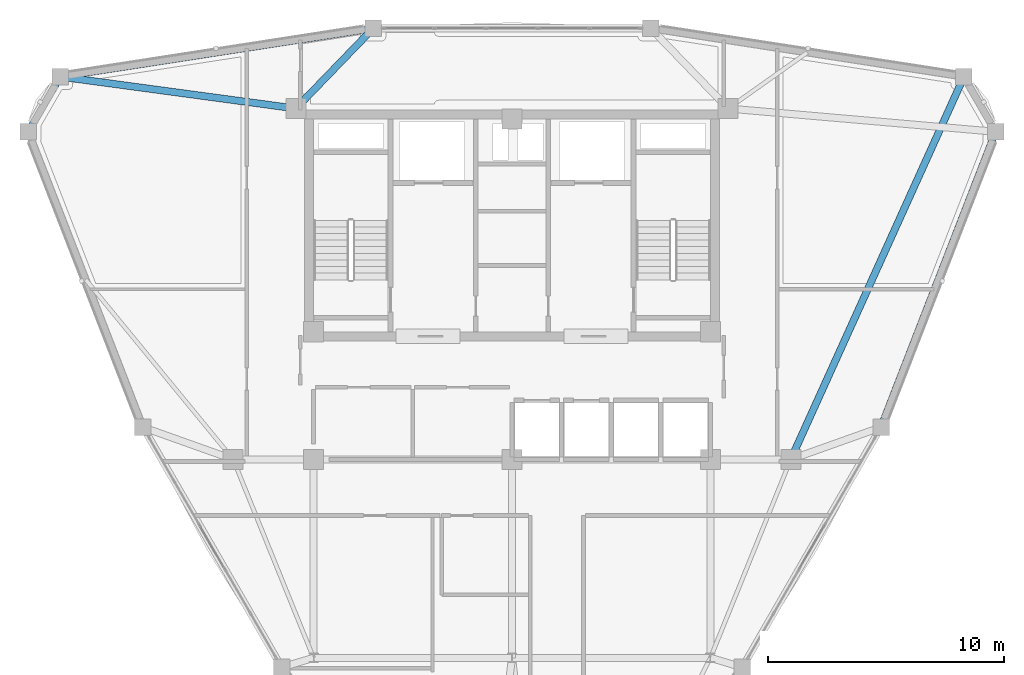
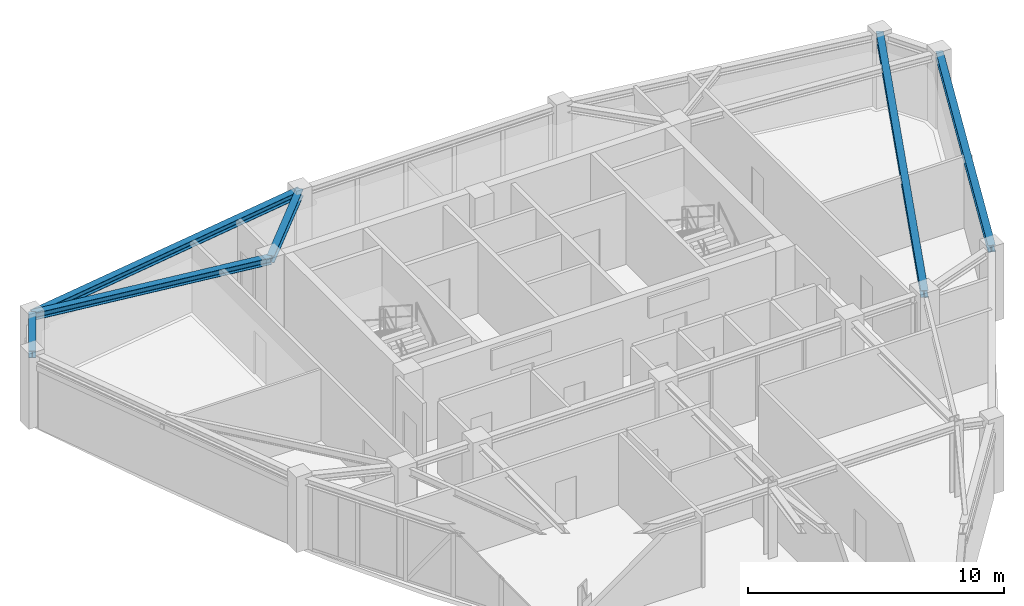
# One storey, part 8 of 15: 6 beams.
"""IFC4 building model written with IfcOpenShell, lengths in metres."""

from ifc_helpers import new_model, si_unit, derived_unit, direction, frame, origin, origin_2d, place, context, subcontext, project, spatial, i_section, extrude, source, transform, mapped, material, material_profile, profile_set, type_object, element, save


model = new_model("IFC4")

# Units and contexts
model_context = context("Model", 3, precision=1e-05, world=origin(), true_north=direction((0.0, 1.0)))
body_context = subcontext(model_context, "Body", "Model", "MODEL_VIEW")
ifc_project = project(units=[si_unit("LENGTHUNIT", "METRE"), si_unit("AREAUNIT", "SQUARE_METRE"), si_unit("VOLUMEUNIT", "CUBIC_METRE"), si_unit("PLANEANGLEUNIT", "RADIAN"), si_unit("MASSUNIT", "GRAM", prefix="KILO"), derived_unit("THERMALTRANSMITTANCEUNIT", [(si_unit("POWERUNIT", "WATT"), 1), (si_unit("LENGTHUNIT", "METRE"), -2), (si_unit("THERMODYNAMICTEMPERATUREUNIT", "KELVIN"), -1)])], contexts=[model_context])

# Site, building, storey
site_placement = place(None, origin())
site = spatial("IfcSite", under=ifc_project, at=site_placement, CompositionType="ELEMENT")
building_placement = place(site_placement, origin())
building = spatial("IfcBuilding", under=site, at=building_placement, Name="Korsvarv Bourse and Concert Hall", CompositionType="ELEMENT")
storey_placement = place(building_placement, frame((0.0, 0.0, 264.60009765625)))
storey = spatial("IfcBuildingStorey", under=building, at=storey_placement, Name="L69", CompositionType="ELEMENT", Elevation=264.60009765625)

# Beams
ifc_material = material(Name="Steel S355", Category="steel")
ifc_material_profile = material_profile(ifc_material, i_section(OverallWidth=0.300048828125, OverallDepth=0.330078125, WebThickness=0.009521484375, FlangeThickness=0.0166015625, FilletRadius=0.02099609375, at=origin_2d()), Name="HEA 340")
ifc_profile_set = profile_set([ifc_material_profile], Name="Steel S355")
beam_type = type_object("IfcBeamType", Name="BM-HEA340", PredefinedType="BEAM", material=ifc_profile_set)
shared_shape_1 = source(origin(), body_context, "Body", "SweptSolid", [
    extrude(i_section(OverallWidth=0.300048828125, OverallDepth=0.330078125, WebThickness=0.009521484375, FlangeThickness=0.0166015625, FilletRadius=0.02099609375, at=origin_2d()), origin(), (0.0, 0.0, 1.0), 2.6923828125),
])
beam_1_placement = place(storey_placement, frame((16.8720703125, 48.597900390625, 3.244873046875), z_axis=(-0.500020738559, -0.86601343004, 0.0), x_axis=(0.86601343004, -0.500020738559, 0.0)))
element("IfcBeam", 1, at=beam_1_placement, inside=storey, type_object=beam_type, Name="L69 beam B-12", PredefinedType="BEAM", context=body_context, shape_type="MappedRepresentation", body=[
    mapped(shared_shape_1, transform((0.0, 0.0, 0.0), scale=1.0)),
])
shared_shape_2 = source(origin(), body_context, "Body", "SweptSolid", [
    extrude(i_section(OverallWidth=0.300048828125, OverallDepth=0.330078125, WebThickness=0.009521484375, FlangeThickness=0.0166015625, FilletRadius=0.02099609375, at=origin_2d()), origin(), (0.0, 0.0, 1.0), 13.416015625),
])
beam_2_placement = place(storey_placement, frame((30.130615234375, 50.646728515625, 3.244873046875), z_axis=(-0.988270074885, -0.152716269881, 0.0), x_axis=(0.152716269881, -0.988270074885, 0.0)))
element("IfcBeam", 2, at=beam_2_placement, inside=storey, type_object=beam_type, Name="L69 beam B-12", PredefinedType="BEAM", context=body_context, shape_type="MappedRepresentation", body=[
    mapped(shared_shape_2, transform((0.0, 0.0, 0.0), scale=1.0)),
])
shared_shape_3 = source(origin(), body_context, "Body", "SweptSolid", [
    extrude(i_section(OverallWidth=0.300048828125, OverallDepth=0.330078125, WebThickness=0.009521484375, FlangeThickness=0.0166015625, FilletRadius=0.02099609375, at=origin_2d()), origin(), (0.0, 0.0, 1.0), 13.415771484375),
])
beam_3_placement = place(storey_placement, frame((51.619140625, 33.759765625, 3.244873046875), z_axis=(0.361883280092, 0.932223412917, 0.0), x_axis=(-0.932223412917, 0.361883280092, 0.0)))
element("IfcBeam", 3, at=beam_3_placement, inside=storey, type_object=beam_type, Name="L69 beam B-12", PredefinedType="BEAM", context=body_context, shape_type="MappedRepresentation", body=[
    mapped(shared_shape_3, transform((0.0, 0.0, 0.0), scale=1.0)),
])
shared_shape_4 = source(origin(), body_context, "Body", "SweptSolid", [
    extrude(i_section(OverallWidth=0.300048828125, OverallDepth=0.330078125, WebThickness=0.009521484375, FlangeThickness=0.0166015625, FilletRadius=0.02099609375, at=origin_2d()), origin(), (0.0, 0.0, 1.0), 17.7783203125),
])
beam_4_placement = place(storey_placement, frame((55.1279296875, 48.597900390625, 3.244873046875), z_axis=(-0.412177912252, -0.911103379783, 0.0), x_axis=(0.911103379783, -0.412177912252, 0.0)))
element("IfcBeam", 4, at=beam_4_placement, inside=storey, type_object=beam_type, Name="L69 beam B-12", PredefinedType="BEAM", context=body_context, shape_type="MappedRepresentation", body=[
    mapped(shared_shape_4, transform((0.0, 0.0, 0.0), scale=1.0)),
])
shared_shape_5 = source(origin(), body_context, "Body", "SweptSolid", [
    extrude(i_section(OverallWidth=0.300048828125, OverallDepth=0.330078125, WebThickness=0.009521484375, FlangeThickness=0.0166015625, FilletRadius=0.02099609375, at=origin_2d()), origin(), (0.0, 0.0, 1.0), 4.72216796875),
])
beam_5_placement = place(storey_placement, frame((30.130615234375, 50.646728515625, 3.244873046875), z_axis=(-0.694695075658, -0.71930435273, 0.0), x_axis=(0.71930435273, -0.694695075658, 0.0)))
element("IfcBeam", 5, at=beam_5_placement, inside=storey, type_object=beam_type, Name="L69 beam B-12", PredefinedType="BEAM", context=body_context, shape_type="MappedRepresentation", body=[
    mapped(shared_shape_5, transform((0.0, 0.0, 0.0), scale=1.0)),
])
shared_shape_6 = source(origin(), body_context, "Body", "SweptSolid", [
    extrude(i_section(OverallWidth=0.300048828125, OverallDepth=0.330078125, WebThickness=0.009521484375, FlangeThickness=0.0166015625, FilletRadius=0.02099609375, at=origin_2d()), origin(), (0.0, 0.0, 1.0), 10.068603515625),
])
beam_6_placement = place(storey_placement, frame((16.8720703125, 48.597900390625, 3.244873046875), z_axis=(0.990998778198, -0.133870913982, 0.0), x_axis=(0.133870913982, 0.990998778198, 0.0)))
element("IfcBeam", 6, at=beam_6_placement, inside=storey, type_object=beam_type, Name="L69 beam B-12", PredefinedType="BEAM", context=body_context, shape_type="MappedRepresentation", body=[
    mapped(shared_shape_6, transform((0.0, 0.0, 0.0), scale=1.0)),
])

save(model, "model.ifc")
